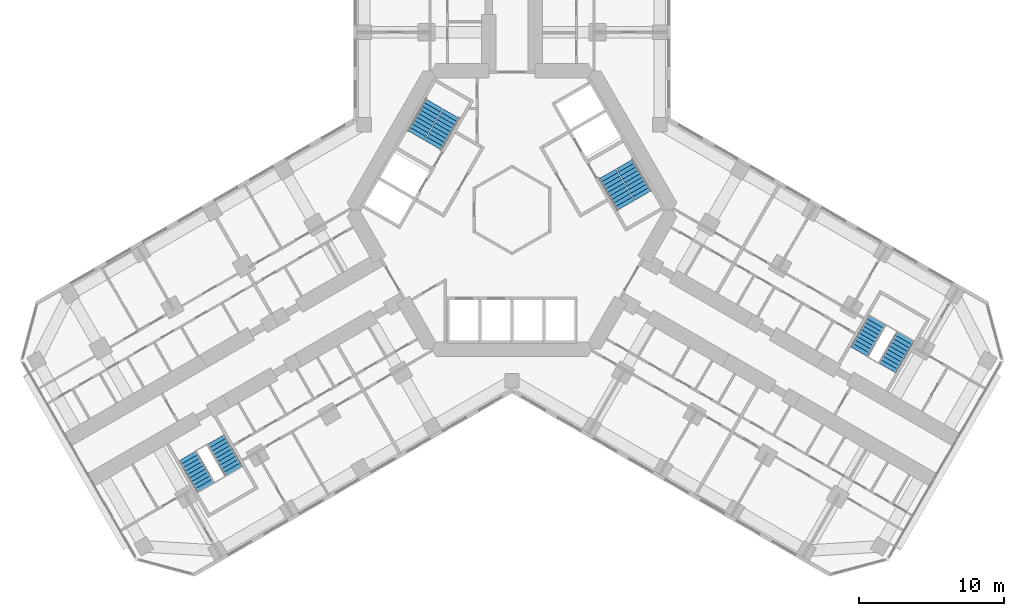
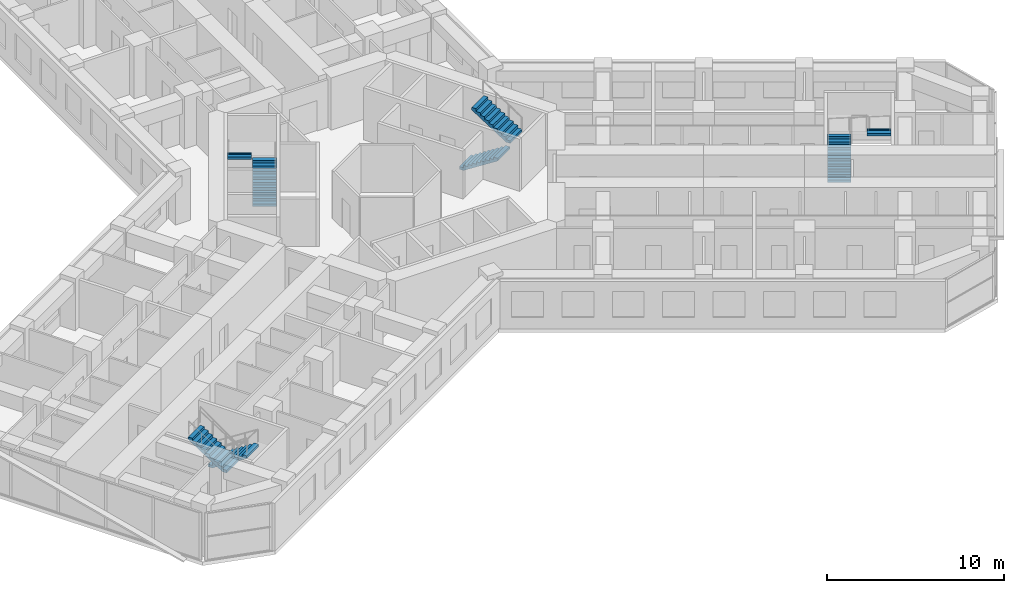
# One storey, part 20 of 21: 8 stair flights, 4 elements without a shape of their own.
"""IFC4 building model written with IfcOpenShell, lengths in metres."""

from ifc_helpers import new_model, si_unit, direction, frame, origin, place, context, subcontext, project, spatial, polyline, outline, extrude, material, type_object, element, aggregate, save


model = new_model("IFC4")

# Units and contexts
model_context = context("Model", 3, precision=1e-05, world=origin(), true_north=direction((0.0, 1.0)))
body_context = subcontext(model_context, "Body", "Model", "MODEL_VIEW")
ifc_project = project(units=[si_unit("LENGTHUNIT", "METRE"), si_unit("AREAUNIT", "SQUARE_METRE"), si_unit("VOLUMEUNIT", "CUBIC_METRE"), si_unit("PLANEANGLEUNIT", "RADIAN"), si_unit("MASSUNIT", "GRAM", prefix="KILO")], contexts=[model_context])

# Site, building, storey
site_placement = place(None, origin())
site = spatial("IfcSite", under=ifc_project, at=site_placement, CompositionType="ELEMENT")
building_placement = place(site_placement, origin())
building = spatial("IfcBuilding", under=site, at=building_placement, Name="Kosmar Iwan School Tower", CompositionType="ELEMENT")
storey_placement = place(building_placement, frame((0.0, 0.0, 109.60009765625)))
storey = spatial("IfcBuildingStorey", under=building, at=storey_placement, Name="L27", CompositionType="ELEMENT", Elevation=109.60009765625)

# Stair, stair flights
ifc_material_1 = material(Name="Concrete C35/45", Category="concrete")
stair_type_1 = type_object("IfcStairType", Name="Escape stair 3600", PredefinedType="HALF_TURN_STAIR", material=ifc_material_1)
stair_1_placement = place(storey_placement, origin())
stair_1 = element("IfcStair", 1, at=stair_1_placement, inside=storey, type_object=stair_type_1, Name="Stair WS2 L27", PredefinedType="HALF_TURN_STAIR")
ifc_material_2 = material(Name="Concrete C35/45", Category="concrete")
stair_flight_type_1 = type_object("IfcStairFlightType", Name="Escape stair flight 1350", PredefinedType="STRAIGHT", material=ifc_material_2)
stair_flight_1_placement = place(storey_placement, frame((-20.44189453125, -15.843505859375, 0.0), z_axis=(0.0, 0.0, 1.0), x_axis=(0.5, -0.866025403784, 0.0)))
stair_flight_1 = element("IfcStairFlight", 2, at=stair_flight_1_placement, type_object=stair_flight_type_1, Name="WS2 flight 1", NumberOfRisers=10, NumberOfTreads=9, PredefinedType="STRAIGHT", RiserHeight=0.18, TreadLength=0.28, context=body_context, shape_type="SweptSolid", body=[
    extrude(outline(polyline([(0.0, 0.0), (0.0, 0.179931640625), (0.280029296875, 0.179931640625), (0.280029296875, 0.360107421875), (0.56005859375, 0.360107421875), (0.56005859375, 0.5400390625), (0.840087890625, 0.5400390625), (0.840087890625, 0.719970703125), (1.1201171875, 0.719970703125), (1.1201171875, 0.89990234375), (1.39990234375, 0.89990234375), (1.39990234375, 1.080078125), (1.679931640625, 1.080078125), (1.679931640625, 1.260009765625), (1.9599609375, 1.260009765625), (1.9599609375, 1.43994140625), (2.239990234375, 1.43994140625), (2.239990234375, 1.6201171875), (2.52001953125, 1.6201171875), (2.52001953125, 1.800048828125), (2.52001953125, 1.44189453125), (0.277099609375, 0.0), (0.0, 0.0)])), frame((0.0, 0.675048828125, 0.0), z_axis=(0.0, -1.0, 0.0), x_axis=(1.0, 0.0, 0.0)), (0.0, 0.0, 1.0), 1.35009765625),
])
stair_flight_2_placement = place(storey_placement, frame((-21.13037109375, -19.15087890625, 1.7998046875), z_axis=(0.0, 0.0, 1.0), x_axis=(-0.5, 0.866025403784, 0.0)))
stair_flight_2 = element("IfcStairFlight", 3, at=stair_flight_2_placement, type_object=stair_flight_type_1, Name="WS2 flight 2", NumberOfRisers=10, NumberOfTreads=9, PredefinedType="STRAIGHT", RiserHeight=0.18, TreadLength=0.28, context=body_context, shape_type="SweptSolid", body=[
    extrude(outline(polyline([(0.0, 0.0), (0.0, 0.179931640625), (0.280029296875, 0.179931640625), (0.280029296875, 0.360107421875), (0.56005859375, 0.360107421875), (0.56005859375, 0.5400390625), (0.840087890625, 0.5400390625), (0.840087890625, 0.719970703125), (1.1201171875, 0.719970703125), (1.1201171875, 0.89990234375), (1.39990234375, 0.89990234375), (1.39990234375, 1.080078125), (1.679931640625, 1.080078125), (1.679931640625, 1.260009765625), (1.9599609375, 1.260009765625), (1.9599609375, 1.43994140625), (2.239990234375, 1.43994140625), (2.239990234375, 1.6201171875), (2.52001953125, 1.6201171875), (2.52001953125, 1.800048828125), (2.52001953125, 1.44189453125), (0.277099609375, 0.0), (0.0, 0.0)])), frame((0.0, 0.675048828125, 0.0), z_axis=(0.0, -1.0, 0.0), x_axis=(1.0, 0.0, 0.0)), (0.0, 0.0, 1.0), 1.35009765625),
])
aggregate(stair_1, [stair_flight_1, stair_flight_2])

stair_2_placement = place(storey_placement, origin())
stair_2 = element("IfcStair", 4, at=stair_2_placement, inside=storey, type_object=stair_type_1, Name="Stair WS3 L27", PredefinedType="HALF_TURN_STAIR")
stair_flight_3_placement = place(storey_placement, frame((23.94189453125, -9.781494140625, 0.0), z_axis=(0.0, 0.0, 1.0), x_axis=(0.5, 0.866025403784, 0.0)))
stair_flight_3 = element("IfcStairFlight", 5, at=stair_flight_3_placement, type_object=stair_flight_type_1, Name="WS3 flight 1", NumberOfRisers=10, NumberOfTreads=9, PredefinedType="STRAIGHT", RiserHeight=0.18, TreadLength=0.28, context=body_context, shape_type="SweptSolid", body=[
    extrude(outline(polyline([(0.0, 0.0), (0.0, 0.179931640625), (0.280029296875, 0.179931640625), (0.280029296875, 0.360107421875), (0.56005859375, 0.360107421875), (0.56005859375, 0.5400390625), (0.840087890625, 0.5400390625), (0.840087890625, 0.719970703125), (1.1201171875, 0.719970703125), (1.1201171875, 0.89990234375), (1.39990234375, 0.89990234375), (1.39990234375, 1.080078125), (1.679931640625, 1.080078125), (1.679931640625, 1.260009765625), (1.9599609375, 1.260009765625), (1.9599609375, 1.43994140625), (2.239990234375, 1.43994140625), (2.239990234375, 1.6201171875), (2.52001953125, 1.6201171875), (2.52001953125, 1.800048828125), (2.52001953125, 1.44189453125), (0.277099609375, 0.0), (0.0, 0.0)])), frame((0.0, 0.675048828125, 0.0), z_axis=(0.0, -1.0, 0.0), x_axis=(1.0, 0.0, 0.0)), (0.0, 0.0, 1.0), 1.35009765625),
])
stair_flight_4_placement = place(storey_placement, frame((27.150390625, -8.72412109375, 1.7998046875), z_axis=(0.0, 0.0, 1.0), x_axis=(-0.5, -0.866025403784, 0.0)))
stair_flight_4 = element("IfcStairFlight", 6, at=stair_flight_4_placement, type_object=stair_flight_type_1, Name="WS3 flight 2", NumberOfRisers=10, NumberOfTreads=9, PredefinedType="STRAIGHT", RiserHeight=0.18, TreadLength=0.28, context=body_context, shape_type="SweptSolid", body=[
    extrude(outline(polyline([(0.0, 0.0), (0.0, 0.179931640625), (0.280029296875, 0.179931640625), (0.280029296875, 0.360107421875), (0.56005859375, 0.360107421875), (0.56005859375, 0.5400390625), (0.840087890625, 0.5400390625), (0.840087890625, 0.719970703125), (1.1201171875, 0.719970703125), (1.1201171875, 0.89990234375), (1.39990234375, 0.89990234375), (1.39990234375, 1.080078125), (1.679931640625, 1.080078125), (1.679931640625, 1.260009765625), (1.9599609375, 1.260009765625), (1.9599609375, 1.43994140625), (2.239990234375, 1.43994140625), (2.239990234375, 1.6201171875), (2.52001953125, 1.6201171875), (2.52001953125, 1.800048828125), (2.52001953125, 1.44189453125), (0.277099609375, 0.0), (0.0, 0.0)])), frame((0.0, 0.675048828125, 0.0), z_axis=(0.0, -1.0, 0.0), x_axis=(1.0, 0.0, 0.0)), (0.0, 0.0, 1.0), 1.35009765625),
])
aggregate(stair_2, [stair_flight_3, stair_flight_4])

ifc_material_3 = material(Name="Concrete C35/45", Category="concrete")
stair_type_2 = type_object("IfcStairType", Name="Core stair 2750", PredefinedType="HALF_TURN_STAIR", material=ifc_material_3)
stair_3_placement = place(storey_placement, origin())
stair_3 = element("IfcStair", 7, at=stair_3_placement, inside=storey, type_object=stair_type_2, Name="Stair ST2 L27", PredefinedType="HALF_TURN_STAIR")
ifc_material_4 = material(Name="Concrete C35/45", Category="concrete")
stair_flight_type_2 = type_object("IfcStairFlightType", Name="Stair flight 1350", PredefinedType="STRAIGHT", material=ifc_material_4)
stair_flight_5_placement = place(storey_placement, frame((-5.42724609375, 4.44970703125, 0.0), z_axis=(0.0, 0.0, 1.0), x_axis=(0.5, 0.866025403784, 0.0)))
stair_flight_5 = element("IfcStairFlight", 8, at=stair_flight_5_placement, type_object=stair_flight_type_2, Name="ST2 flight 1", NumberOfRisers=10, NumberOfTreads=9, PredefinedType="STRAIGHT", RiserHeight=0.18, TreadLength=0.28, context=body_context, shape_type="SweptSolid", body=[
    extrude(outline(polyline([(0.0, 0.0), (0.0, 0.179931640625), (0.280029296875, 0.179931640625), (0.280029296875, 0.360107421875), (0.56005859375, 0.360107421875), (0.56005859375, 0.5400390625), (0.840087890625, 0.5400390625), (0.840087890625, 0.719970703125), (1.1201171875, 0.719970703125), (1.1201171875, 0.89990234375), (1.39990234375, 0.89990234375), (1.39990234375, 1.080078125), (1.679931640625, 1.080078125), (1.679931640625, 1.260009765625), (1.9599609375, 1.260009765625), (1.9599609375, 1.43994140625), (2.239990234375, 1.43994140625), (2.239990234375, 1.6201171875), (2.52001953125, 1.6201171875), (2.52001953125, 1.800048828125), (2.52001953125, 1.44189453125), (0.277099609375, 0.0), (0.0, 0.0)])), frame((0.0, 0.675048828125, 0.0), z_axis=(0.0, -1.0, 0.0), x_axis=(1.0, 0.0, 0.0)), (0.0, 0.0, 1.0), 1.35009765625),
])
stair_flight_6_placement = place(storey_placement, frame((-5.379638671875, 7.33203125, 1.7998046875), z_axis=(0.0, 0.0, 1.0), x_axis=(-0.5, -0.866025403784, 0.0)))
stair_flight_6 = element("IfcStairFlight", 9, at=stair_flight_6_placement, type_object=stair_flight_type_2, Name="ST2 flight 2", NumberOfRisers=10, NumberOfTreads=9, PredefinedType="STRAIGHT", RiserHeight=0.18, TreadLength=0.28, context=body_context, shape_type="SweptSolid", body=[
    extrude(outline(polyline([(0.0, 0.0), (0.0, 0.179931640625), (0.280029296875, 0.179931640625), (0.280029296875, 0.360107421875), (0.56005859375, 0.360107421875), (0.56005859375, 0.5400390625), (0.840087890625, 0.5400390625), (0.840087890625, 0.719970703125), (1.1201171875, 0.719970703125), (1.1201171875, 0.89990234375), (1.39990234375, 0.89990234375), (1.39990234375, 1.080078125), (1.679931640625, 1.080078125), (1.679931640625, 1.260009765625), (1.9599609375, 1.260009765625), (1.9599609375, 1.43994140625), (2.239990234375, 1.43994140625), (2.239990234375, 1.6201171875), (2.52001953125, 1.6201171875), (2.52001953125, 1.800048828125), (2.52001953125, 1.44189453125), (0.277099609375, 0.0), (0.0, 0.0)])), frame((0.0, 0.675048828125, 0.0), z_axis=(0.0, -1.0, 0.0), x_axis=(1.0, 0.0, 0.0)), (0.0, 0.0, 1.0), 1.35009765625),
])
aggregate(stair_3, [stair_flight_5, stair_flight_6])

stair_4_placement = place(storey_placement, origin())
stair_4 = element("IfcStair", 10, at=stair_4_placement, inside=storey, type_object=stair_type_2, Name="Stair ST1 L27", PredefinedType="HALF_TURN_STAIR")
stair_flight_7_placement = place(storey_placement, frame((6.567138671875, 2.475341796875, 0.0), z_axis=(0.0, 0.0, 1.0), x_axis=(0.5, -0.866025403784, 0.0)))
stair_flight_7 = element("IfcStairFlight", 11, at=stair_flight_7_placement, type_object=stair_flight_type_2, Name="ST1 flight 1", NumberOfRisers=10, NumberOfTreads=9, PredefinedType="STRAIGHT", RiserHeight=0.18, TreadLength=0.28, context=body_context, shape_type="SweptSolid", body=[
    extrude(outline(polyline([(0.0, 0.0), (0.0, 0.179931640625), (0.280029296875, 0.179931640625), (0.280029296875, 0.360107421875), (0.56005859375, 0.360107421875), (0.56005859375, 0.5400390625), (0.840087890625, 0.5400390625), (0.840087890625, 0.719970703125), (1.1201171875, 0.719970703125), (1.1201171875, 0.89990234375), (1.39990234375, 0.89990234375), (1.39990234375, 1.080078125), (1.679931640625, 1.080078125), (1.679931640625, 1.260009765625), (1.9599609375, 1.260009765625), (1.9599609375, 1.43994140625), (2.239990234375, 1.43994140625), (2.239990234375, 1.6201171875), (2.52001953125, 1.6201171875), (2.52001953125, 1.800048828125), (2.52001953125, 1.44189453125), (0.277099609375, 0.0), (0.0, 0.0)])), frame((0.0, 0.675048828125, 0.0), z_axis=(0.0, -1.0, 0.0), x_axis=(1.0, 0.0, 0.0)), (0.0, 0.0, 1.0), 1.35009765625),
])
stair_flight_8_placement = place(storey_placement, frame((9.03955078125, 0.992919921875, 1.7998046875), z_axis=(0.0, 0.0, 1.0), x_axis=(-0.5, 0.866025403784, 0.0)))
stair_flight_8 = element("IfcStairFlight", 12, at=stair_flight_8_placement, type_object=stair_flight_type_2, Name="ST1 flight 2", NumberOfRisers=10, NumberOfTreads=9, PredefinedType="STRAIGHT", RiserHeight=0.18, TreadLength=0.28, context=body_context, shape_type="SweptSolid", body=[
    extrude(outline(polyline([(0.0, 0.0), (0.0, 0.179931640625), (0.280029296875, 0.179931640625), (0.280029296875, 0.360107421875), (0.56005859375, 0.360107421875), (0.56005859375, 0.5400390625), (0.840087890625, 0.5400390625), (0.840087890625, 0.719970703125), (1.1201171875, 0.719970703125), (1.1201171875, 0.89990234375), (1.39990234375, 0.89990234375), (1.39990234375, 1.080078125), (1.679931640625, 1.080078125), (1.679931640625, 1.260009765625), (1.9599609375, 1.260009765625), (1.9599609375, 1.43994140625), (2.239990234375, 1.43994140625), (2.239990234375, 1.6201171875), (2.52001953125, 1.6201171875), (2.52001953125, 1.800048828125), (2.52001953125, 1.44189453125), (0.277099609375, 0.0), (0.0, 0.0)])), frame((0.0, 0.675048828125, 0.0), z_axis=(0.0, -1.0, 0.0), x_axis=(1.0, 0.0, 0.0)), (0.0, 0.0, 1.0), 1.35009765625),
])
aggregate(stair_4, [stair_flight_7, stair_flight_8])

save(model, "model.ifc")
